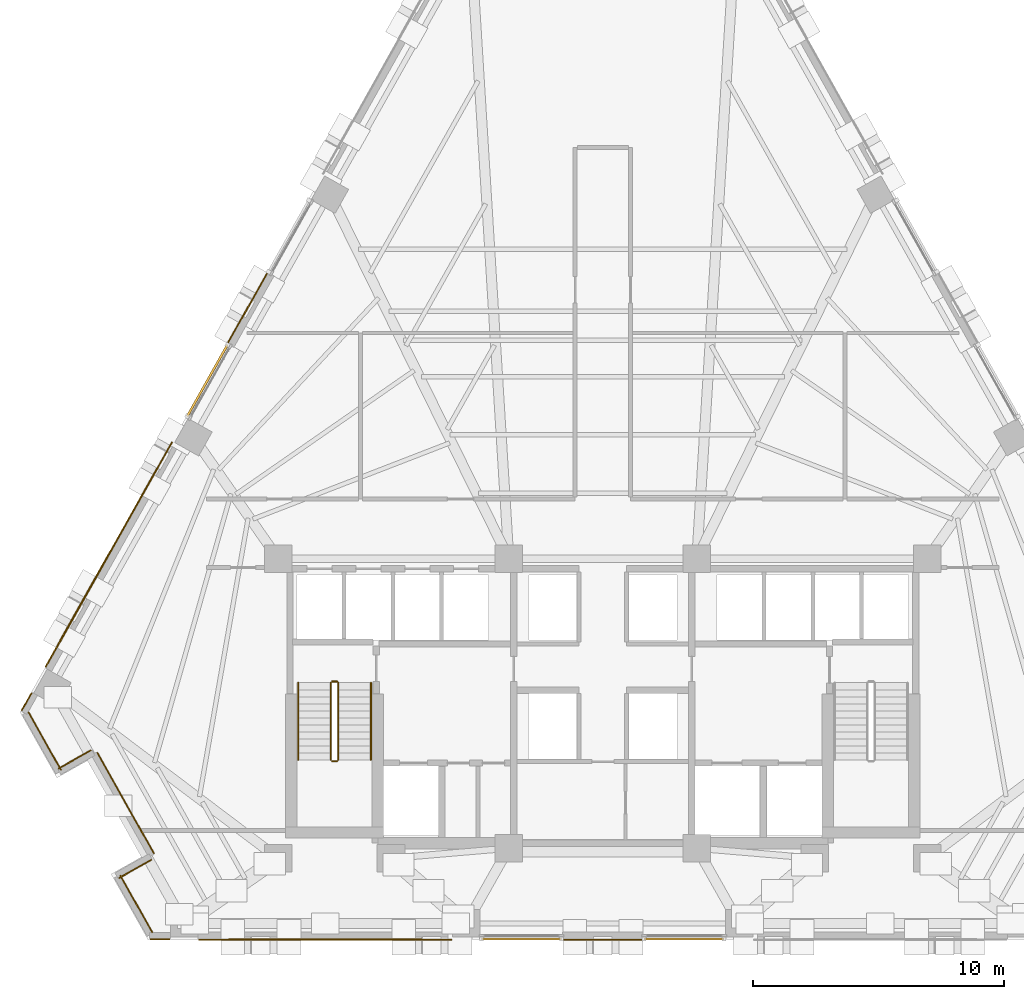
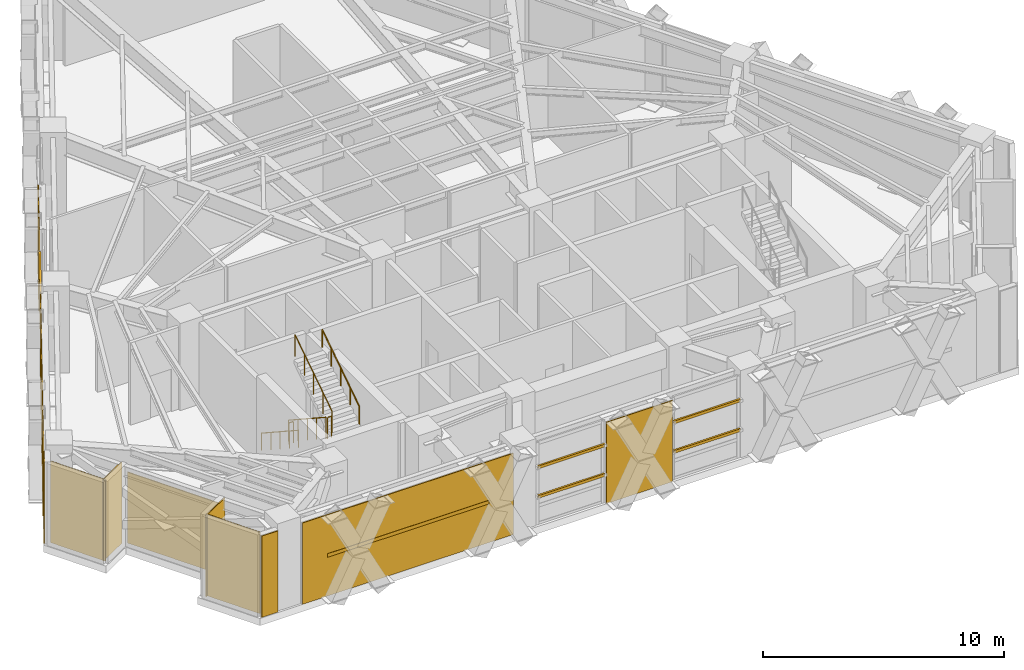
# One storey, part 9 of 12: 11 coverings, 8 shading devices, 6 railings.
"""IFC4 building model written with IfcOpenShell, lengths in metres."""

from ifc_helpers import new_model, si_unit, direction, frame, origin, origin_2d, place, context, subcontext, project, spatial, polyline, rectangle, circle, outline, extrude, material, layer, layer_set, material_profile, profile_set, type_object, element, save


model = new_model("IFC4")

# Units and contexts
model_context = context("Model", 3, precision=1e-05, world=origin(), true_north=direction((0.0, 1.0)))
body_context = subcontext(model_context, "Body", "Model", "MODEL_VIEW")
ifc_project = project(units=[si_unit("LENGTHUNIT", "METRE"), si_unit("AREAUNIT", "SQUARE_METRE"), si_unit("VOLUMEUNIT", "CUBIC_METRE"), si_unit("PLANEANGLEUNIT", "RADIAN"), si_unit("MASSUNIT", "GRAM", prefix="KILO")], contexts=[model_context])

# Site, building, storey
site_placement = place(None, origin())
site = spatial("IfcSite", under=ifc_project, at=site_placement, CompositionType="ELEMENT")
building_placement = place(site_placement, origin())
building = spatial("IfcBuilding", under=site, at=building_placement, Name="Quenlor Broadcast Tower", CompositionType="ELEMENT")
storey_placement = place(building_placement, frame((0.0, 0.0, 90.60009765625)))
storey = spatial("IfcBuildingStorey", under=building, at=storey_placement, Name="L24", CompositionType="ELEMENT", Elevation=90.60009765625)

# Shading devices
ifc_material_1 = material(Name="Architectural Terracotta Ceramic", Category="masonry")
ifc_material_profile_1 = material_profile(ifc_material_1, rectangle(XDim=0.090087890625, YDim=0.139892578125, at=origin_2d()))
ifc_profile_set_1 = profile_set([ifc_material_profile_1], Name="Architectural Terracotta Ceramic BAG90x140")
shading_device_type_1 = type_object("IfcShadingDeviceType", Name="Copper Terracotta Baguette Solar Screen 140", PredefinedType="USERDEFINED", material=ifc_profile_set_1)
for number, where, z_axis, x_axis, name in (
    (1, (4.835693359375, -19.972900390625, 1.493896484375), (-1.0, 0.0, 0.0), (0.0, -1.0, 0.0), "L24 Terracotta Baguette Screen 1"),
    (2, (4.835693359375, -19.972900390625, 2.98779296875), (-1.0, 0.0, 0.0), (0.0, -1.0, 0.0), "L24 Terracotta Baguette Screen 2"),
    (3, (-1.64892578125, -19.972900390625, 1.493896484375), (-1.0, 0.0, 0.0), (0.0, -1.0, 0.0), "L24 Terracotta Baguette Screen 1"),
    (4, (-1.64892578125, -19.972900390625, 2.98779296875), (-1.0, 0.0, 0.0), (0.0, -1.0, 0.0), "L24 Terracotta Baguette Screen 2"),
):
    element("IfcShadingDevice", number, at=place(storey_placement, frame(where, z_axis=z_axis, x_axis=x_axis)), inside=storey, type_object=shading_device_type_1, Name=name, ObjectType="BAGUETTE", PredefinedType="USERDEFINED", context=body_context, shape_type="SweptSolid", body=[
        extrude(rectangle(XDim=0.090087890625, YDim=0.139892578125, at=origin_2d()), origin(), (0.0, 0.0, 1.0), 3.186767578125),
    ])
for number, where, z_axis, x_axis, name in (
    (5, (-16.5751953125, 0.8779296875, 1.493896484375), (0.49025769465, 0.871577531168, 0.0), (-0.871577531168, 0.49025769465, 0.0), "L24 Terracotta Baguette Screen 1"),
    (6, (-16.5751953125, 0.8779296875, 2.98779296875), (0.49025769465, 0.871577531168, 0.0), (-0.871577531168, 0.49025769465, 0.0), "L24 Terracotta Baguette Screen 2"),
):
    element("IfcShadingDevice", number, at=place(storey_placement, frame(where, z_axis=z_axis, x_axis=x_axis)), inside=storey, type_object=shading_device_type_1, Name=name, ObjectType="BAGUETTE", PredefinedType="USERDEFINED", context=body_context, shape_type="SweptSolid", body=[
        extrude(rectangle(XDim=0.090087890625, YDim=0.139892578125, at=origin_2d()), origin(), (0.0, 0.0, 1.0), 3.269775390625),
    ])

# Coverings
ifc_material_2 = material(Name="Architectural Terracotta Ceramic", Category="masonry")
ifc_layer = layer(ifc_material_2, 0.044921875)
ifc_layer_set = layer_set([ifc_layer], Name="Fluted Terracotta Rainscreen Cladding Panel")
covering_type = type_object("IfcCoveringType", Name="Fluted Terracotta Rainscreen Cladding Panel", PredefinedType="CLADDING", material=ifc_layer_set)
covering_1_placement = place(storey_placement, frame((0.0, 0.0, 0.02001953125)))
element("IfcCovering", 7, at=covering_1_placement, inside=storey, type_object=covering_type, Name="L24 Terracotta Rainscreen Cladding L24-SHD-SS1", PredefinedType="CLADDING", context=body_context, shape_type="SweptSolid", body=[
    extrude(outline(polyline([(-17.277587890625, -19.951904296875), (-18.053955078125, -19.951904296875), (-18.053955078125, -19.9970703125), (-17.277587890625, -19.9970703125), (-17.277587890625, -19.951904296875)])), origin(), (0.0, 0.0, 1.0), 4.10986328125),
])
covering_2_placement = place(storey_placement, frame((0.0, 0.0, 0.02001953125)))
element("IfcCovering", 8, at=covering_2_placement, inside=storey, type_object=covering_type, Name="L24 Terracotta Rainscreen Cladding L24-EW-SC", PredefinedType="CLADDING", context=body_context, shape_type="SweptSolid", body=[
    extrude(outline(polyline([(-6.0283203125, -19.971923828125), (-16.107421875, -19.971923828125), (-16.107421875, -20.01708984375), (-6.0283203125, -20.01708984375), (-6.0283203125, -19.971923828125)])), origin(), (0.0, 0.0, 1.0), 4.10986328125),
])
covering_3_placement = place(storey_placement, frame((0.0, 0.0, 0.02001953125)))
element("IfcCovering", 9, at=covering_3_placement, inside=storey, type_object=covering_type, Name="L24 Terracotta Rainscreen Cladding L24-S-SP1", PredefinedType="CLADDING", context=body_context, shape_type="SweptSolid", body=[
    extrude(outline(polyline([(1.58154296875, -19.971923828125), (-1.58154296875, -19.971923828125), (-1.58154296875, -20.01708984375), (1.58154296875, -20.01708984375), (1.58154296875, -19.971923828125)])), origin(), (0.0, 0.0, 1.0), 4.10986328125),
])
covering_4_placement = place(storey_placement, frame((0.0, 0.0, 0.02001953125)))
element("IfcCovering", 10, at=covering_4_placement, inside=storey, type_object=covering_type, Name="L24 Terracotta Rainscreen Cladding L24-SHD-NWS0", PredefinedType="CLADDING", context=body_context, shape_type="SweptSolid", body=[
    extrude(outline(polyline([(-23.160888671875, -10.873046875), (-22.76611328125, -10.171142578125), (-22.805419921875, -10.149169921875), (-23.2001953125, -10.85107421875), (-23.160888671875, -10.873046875)])), origin(), (0.0, 0.0, 1.0), 4.10986328125),
])
covering_5_placement = place(storey_placement, frame((0.0, 0.0, 0.02001953125)))
element("IfcCovering", 11, at=covering_5_placement, inside=storey, type_object=covering_type, Name="L24 Terracotta Rainscreen Cladding L24-EW-NWA", PredefinedType="CLADDING", context=body_context, shape_type="SweptSolid", body=[
    extrude(outline(polyline([(-22.2099609375, -9.1416015625), (-17.158935546875, -0.161865234375), (-17.1982421875, -0.139892578125), (-22.249267578125, -9.119384765625), (-22.2099609375, -9.1416015625)])), origin(), (0.0, 0.0, 1.0), 4.10986328125),
])
covering_6_placement = place(storey_placement, frame((0.0, 0.0, 0.02001953125)))
element("IfcCovering", 12, at=covering_6_placement, inside=storey, type_object=covering_type, Name="L24 Terracotta Rainscreen Cladding L24-NW-SP1", PredefinedType="CLADDING", context=body_context, shape_type="SweptSolid", body=[
    extrude(outline(polyline([(-14.93798828125, 3.786376953125), (-13.363037109375, 6.58642578125), (-13.402099609375, 6.6083984375), (-14.977294921875, 3.808349609375), (-14.93798828125, 3.786376953125)])), origin(), (0.0, 0.0, 1.0), 4.10986328125),
])
covering_7_placement = place(storey_placement, frame((0.0, 0.0, 0.02001953125)))
element("IfcCovering", 13, at=covering_7_placement, inside=storey, type_object=covering_type, Name="L24 Terracotta Rainscreen Cladding L24-CNR-12", PredefinedType="CLADDING", context=body_context, shape_type="SweptSolid", body=[
    extrude(outline(polyline([(-22.931396484375, -10.93408203125), (-21.630126953125, -13.24755859375), (-21.591064453125, -13.2255859375), (-22.892333984375, -10.912109375), (-22.931396484375, -10.93408203125)])), origin(), (0.0, 0.0, 1.0), 4.10986328125),
])
covering_8_placement = place(storey_placement, frame((0.0, 0.0, 0.02001953125)))
element("IfcCovering", 14, at=covering_8_placement, inside=storey, type_object=covering_type, Name="L24 Terracotta Rainscreen Cladding L24-CNR-13", PredefinedType="CLADDING", context=body_context, shape_type="SweptSolid", body=[
    extrude(outline(polyline([(-21.70703125, -13.19677734375), (-20.399658203125, -12.461181640625), (-20.421630859375, -12.422119140625), (-21.72900390625, -13.157470703125), (-21.70703125, -13.19677734375)])), origin(), (0.0, 0.0, 1.0), 4.10986328125),
])
covering_9_placement = place(storey_placement, frame((0.0, 0.0, 0.02001953125)))
element("IfcCovering", 15, at=covering_9_placement, inside=storey, type_object=covering_type, Name="L24 Terracotta Rainscreen Cladding L24-CNR-14", PredefinedType="CLADDING", context=body_context, shape_type="SweptSolid", body=[
    extrude(outline(polyline([(-20.186767578125, -12.55029296875), (-17.921630859375, -16.576904296875), (-17.88232421875, -16.554931640625), (-20.1474609375, -12.5283203125), (-20.186767578125, -12.55029296875)])), origin(), (0.0, 0.0, 1.0), 3.581787109375),
])
covering_10_placement = place(storey_placement, frame((0.0, 0.0, 0.02001953125)))
element("IfcCovering", 16, at=covering_10_placement, inside=storey, type_object=covering_type, Name="L24 Terracotta Rainscreen Cladding L24-CNR-15", PredefinedType="CLADDING", context=body_context, shape_type="SweptSolid", body=[
    extrude(outline(polyline([(-18.010498046875, -16.789794921875), (-19.31787109375, -17.525390625), (-19.2958984375, -17.564697265625), (-17.988525390625, -16.8291015625), (-18.010498046875, -16.789794921875)])), origin(), (0.0, 0.0, 1.0), 4.10986328125),
])
covering_11_placement = place(storey_placement, frame((0.0, 0.0, 0.02001953125)))
element("IfcCovering", 17, at=covering_11_placement, inside=storey, type_object=covering_type, Name="L24 Terracotta Rainscreen Cladding L24-CNR-16", PredefinedType="CLADDING", context=body_context, shape_type="SweptSolid", body=[
    extrude(outline(polyline([(-19.26708984375, -17.448486328125), (-17.987060546875, -19.72412109375), (-17.947998046875, -19.7021484375), (-19.227783203125, -17.426513671875), (-19.26708984375, -17.448486328125)])), origin(), (0.0, 0.0, 1.0), 4.10986328125),
])

# Railings
ifc_material_3 = material(Name="Anodised Aluminium", Category="aluminium")
railing_type_1 = type_object("IfcRailingType", Name="Stainless Aluminium Wall Handrail 900", PredefinedType="HANDRAIL", material=ifc_material_3)
railing_1_placement = place(storey_placement, frame((-12.14990234375, -9.75, 0.183349609375)))
element("IfcRailing", 18, at=railing_1_placement, inside=storey, type_object=railing_type_1, Name="L24 ST-1 stair handrail 1", PredefinedType="HANDRAIL", context=body_context, shape_type="SweptSolid", body=[
    extrude(circle(Radius=0.02392578125, at=origin_2d()), frame((0.0, 0.0, 0.8759765625), z_axis=(0.0, -0.836633000464, 0.547763838287), x_axis=(1.0, 0.0, 0.0)), (0.0, 0.0, 1.0), 3.681396484375),
    extrude(circle(Radius=0.02099609375, at=origin_2d()), origin(), (0.0, 0.0, 1.0), 0.851806640625),
    extrude(circle(Radius=0.02099609375, at=origin_2d()), frame((0.0, -0.77001953125, 0.504150390625)), (0.0, 0.0, 1.0), 0.851806640625),
    extrude(circle(Radius=0.02099609375, at=origin_2d()), frame((0.0, -1.5400390625, 1.00830078125)), (0.0, 0.0, 1.0), 0.851806640625),
    extrude(circle(Radius=0.02099609375, at=origin_2d()), frame((0.0, -2.31005859375, 1.512451171875)), (0.0, 0.0, 1.0), 0.851806640625),
    extrude(circle(Radius=0.02099609375, at=origin_2d()), frame((0.0, -3.080078125, 2.0166015625)), (0.0, 0.0, 1.0), 0.851806640625),
])
railing_2_placement = place(storey_placement, frame((-9.25, -12.830078125, 2.38330078125)))
element("IfcRailing", 19, at=railing_2_placement, inside=storey, type_object=railing_type_1, Name="L24 ST-1 stair handrail 2", PredefinedType="HANDRAIL", context=body_context, shape_type="SweptSolid", body=[
    extrude(circle(Radius=0.02392578125, at=origin_2d()), frame((0.0, 0.0, 0.8759765625), z_axis=(0.0, 0.836633000464, 0.547763838287), x_axis=(-1.0, 0.0, 0.0)), (0.0, 0.0, 1.0), 3.681396484375),
    extrude(circle(Radius=0.02099609375, at=origin_2d()), origin(), (0.0, 0.0, 1.0), 0.851806640625),
    extrude(circle(Radius=0.02099609375, at=origin_2d()), frame((0.0, 0.77001953125, 0.504150390625)), (0.0, 0.0, 1.0), 0.851806640625),
    extrude(circle(Radius=0.02099609375, at=origin_2d()), frame((0.0, 1.5400390625, 1.00830078125)), (0.0, 0.0, 1.0), 0.851806640625),
    extrude(circle(Radius=0.02099609375, at=origin_2d()), frame((0.0, 2.31005859375, 1.512451171875)), (0.0, 0.0, 1.0), 0.851806640625),
    extrude(circle(Radius=0.02099609375, at=origin_2d()), frame((0.0, 3.080078125, 2.0166015625)), (0.0, 0.0, 1.0), 0.851806640625),
])

# Shading devices
ifc_material_4 = material(Name="Architectural Terracotta Ceramic", Category="masonry")
ifc_material_profile_2 = material_profile(ifc_material_4, rectangle(XDim=0.06005859375, YDim=0.179931640625, at=origin_2d()))
ifc_profile_set_2 = profile_set([ifc_material_profile_2], Name="Architectural Terracotta Ceramic LVR60x180")
shading_device_type_2 = type_object("IfcShadingDeviceType", Name="Terracotta Acoustic Plant Weather Louvre 180", PredefinedType="JALOUSIE", material=ifc_profile_set_2)
shading_device_1_placement = place(storey_placement, frame((-7.21484375, -19.998046875, 2.074951171875), z_axis=(-1.0, 0.0, 0.0), x_axis=(0.0, -1.0, 0.0)))
element("IfcShadingDevice", 20, at=shading_device_1_placement, inside=storey, type_object=shading_device_type_2, Name="L24 Plant Weather Louvre L24-LV-SC", PredefinedType="JALOUSIE", context=body_context, shape_type="SweptSolid", body=[
    extrude(rectangle(XDim=0.06005859375, YDim=0.179931640625, at=origin_2d()), origin(), (0.0, 0.0, 1.0), 7.7060546875),
])
shading_device_2_placement = place(storey_placement, frame((-21.6376953125, -8.071044921875, 2.074951171875), z_axis=(0.490255352497, 0.871578848612, 0.0), x_axis=(-0.871578848612, 0.490255352497, 0.0)))
element("IfcShadingDevice", 21, at=shading_device_2_placement, inside=storey, type_object=shading_device_type_2, Name="L24 Plant Weather Louvre L24-LV-NWA", PredefinedType="JALOUSIE", context=body_context, shape_type="SweptSolid", body=[
    extrude(rectangle(XDim=0.06005859375, YDim=0.179931640625, at=origin_2d()), origin(), (0.0, 0.0, 1.0), 7.875732421875),
])

# Railings
ifc_material_5 = material(Name="Steel S355", Category="steel")
railing_type_2 = type_object("IfcRailingType", Name="Tubular Steel S355 Stair Guardrail 1100", PredefinedType="BALUSTRADE", material=ifc_material_5)
railing_3_placement = place(storey_placement, frame((-10.85009765625, -9.75, 0.183349609375)))
element("IfcRailing", 22, at=railing_3_placement, inside=storey, type_object=railing_type_2, Name="L24 ST-1 stair guard 1", PredefinedType="BALUSTRADE", context=body_context, shape_type="SweptSolid", body=[
    extrude(circle(Radius=0.02392578125, at=origin_2d()), frame((0.0, 0.0, 1.076171875), z_axis=(0.0, -0.836633000464, 0.547763838287), x_axis=(1.0, 0.0, 0.0)), (0.0, 0.0, 1.0), 3.681396484375),
    extrude(circle(Radius=0.02099609375, at=origin_2d()), origin(), (0.0, 0.0, 1.0), 1.052001953125),
    extrude(circle(Radius=0.02099609375, at=origin_2d()), frame((0.0, -0.77001953125, 0.504150390625)), (0.0, 0.0, 1.0), 1.052001953125),
    extrude(circle(Radius=0.02099609375, at=origin_2d()), frame((0.0, -1.5400390625, 1.00830078125)), (0.0, 0.0, 1.0), 1.052001953125),
    extrude(circle(Radius=0.02099609375, at=origin_2d()), frame((0.0, -2.31005859375, 1.512451171875)), (0.0, 0.0, 1.0), 1.052001953125),
    extrude(circle(Radius=0.02099609375, at=origin_2d()), frame((0.0, -3.080078125, 2.0166015625)), (0.0, 0.0, 1.0), 1.052001953125),
])
railing_4_placement = place(storey_placement, frame((-10.800048828125, -12.8798828125, 2.199951171875)))
element("IfcRailing", 23, at=railing_4_placement, inside=storey, type_object=railing_type_2, Name="L24 ST-1 stair guard 2", PredefinedType="BALUSTRADE", context=body_context, shape_type="SweptSolid", body=[
    extrude(circle(Radius=0.02392578125, at=origin_2d()), frame((0.0, 0.0, 1.076171875), z_axis=(1.0, 0.0, 0.0), x_axis=(0.0, 1.0, 0.0)), (0.0, 0.0, 1.0), 0.199951171875),
    extrude(circle(Radius=0.02099609375, at=origin_2d()), origin(), (0.0, 0.0, 1.0), 1.052001953125),
    extrude(circle(Radius=0.02099609375, at=origin_2d()), frame((0.199951171875, 0.0, 0.0)), (0.0, 0.0, 1.0), 1.052001953125),
])
railing_5_placement = place(storey_placement, frame((-10.550048828125, -12.830078125, 2.38330078125)))
element("IfcRailing", 24, at=railing_5_placement, inside=storey, type_object=railing_type_2, Name="L24 ST-1 stair guard 3", PredefinedType="BALUSTRADE", context=body_context, shape_type="SweptSolid", body=[
    extrude(circle(Radius=0.02392578125, at=origin_2d()), frame((0.0, 0.0, 1.076171875), z_axis=(0.0, 0.836633000464, 0.547763838287), x_axis=(-1.0, 0.0, 0.0)), (0.0, 0.0, 1.0), 3.681396484375),
    extrude(circle(Radius=0.02099609375, at=origin_2d()), origin(), (0.0, 0.0, 1.0), 1.052001953125),
    extrude(circle(Radius=0.02099609375, at=origin_2d()), frame((0.0, 0.77001953125, 0.504150390625)), (0.0, 0.0, 1.0), 1.052001953125),
    extrude(circle(Radius=0.02099609375, at=origin_2d()), frame((0.0, 1.5400390625, 1.00830078125)), (0.0, 0.0, 1.0), 1.052001953125),
    extrude(circle(Radius=0.02099609375, at=origin_2d()), frame((0.0, 2.31005859375, 1.512451171875)), (0.0, 0.0, 1.0), 1.052001953125),
    extrude(circle(Radius=0.02099609375, at=origin_2d()), frame((0.0, 3.080078125, 2.0166015625)), (0.0, 0.0, 1.0), 1.052001953125),
])
railing_6_placement = place(storey_placement, frame((-10.800048828125, -9.699951171875, 0.0)))
element("IfcRailing", 25, at=railing_6_placement, inside=storey, type_object=railing_type_2, Name="L24 ST-1 stair guard 4", PredefinedType="BALUSTRADE", context=body_context, shape_type="SweptSolid", body=[
    extrude(circle(Radius=0.02392578125, at=origin_2d()), frame((0.0, 0.0, 1.076171875), z_axis=(1.0, 0.0, 0.0), x_axis=(0.0, 1.0, 0.0)), (0.0, 0.0, 1.0), 0.199951171875),
    extrude(circle(Radius=0.02099609375, at=origin_2d()), origin(), (0.0, 0.0, 1.0), 1.052001953125),
    extrude(circle(Radius=0.02099609375, at=origin_2d()), frame((0.199951171875, 0.0, 0.0)), (0.0, 0.0, 1.0), 1.052001953125),
])

save(model, "model.ifc")
